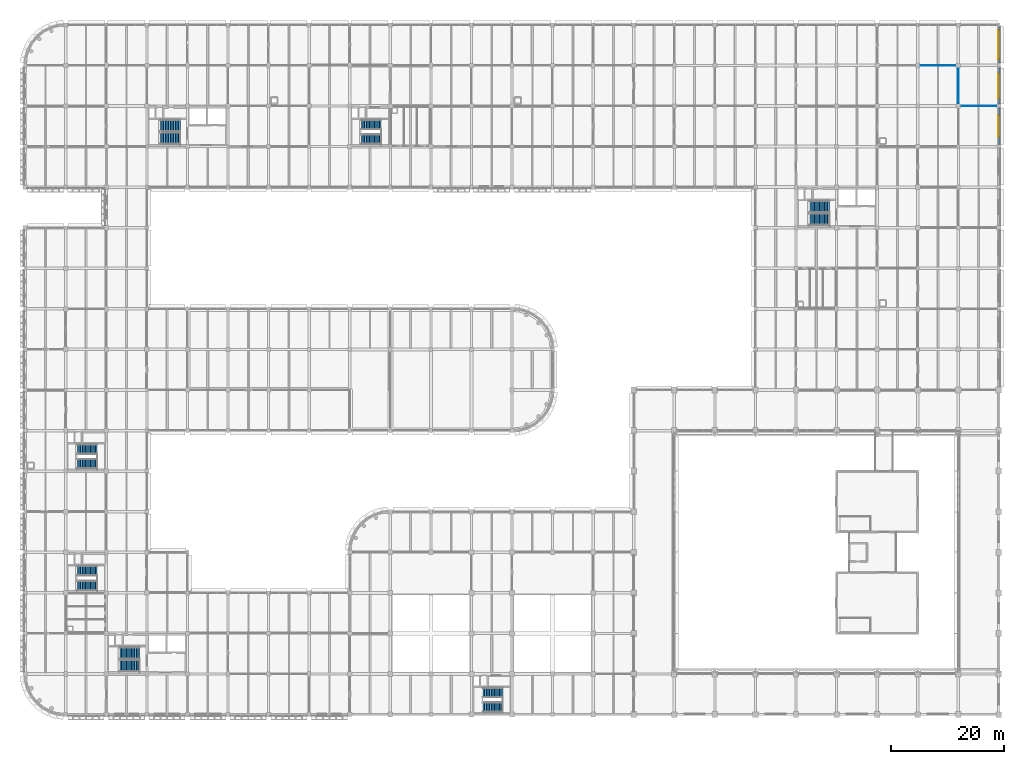
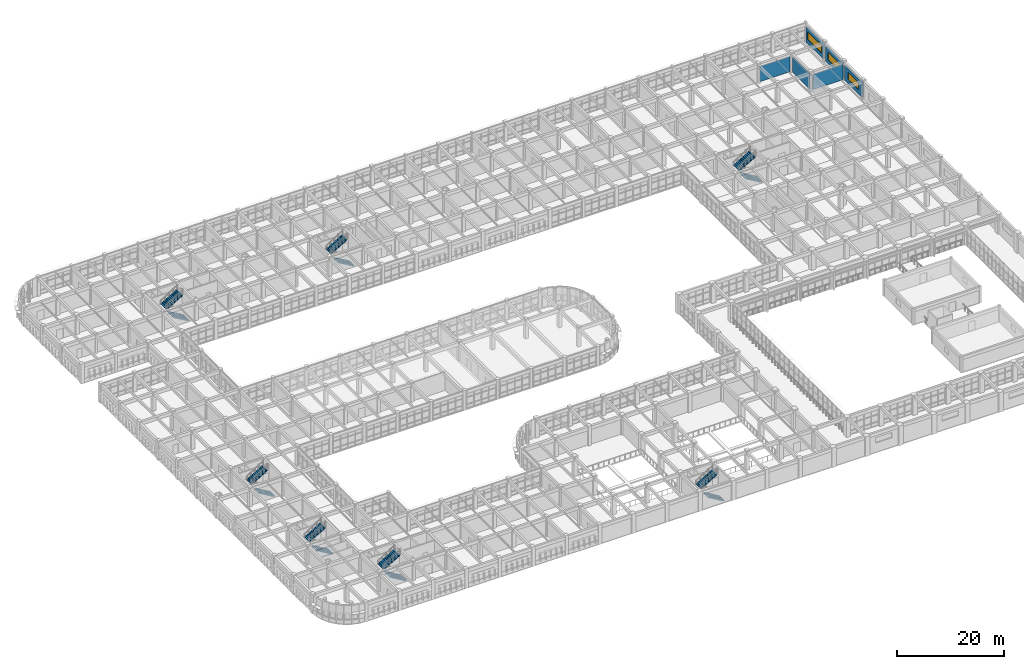
# One storey, part 162 of 171: 14 stair flights, 6 walls, 3 windows, 3 openings, 7 elements without a shape of their own.
"""IFC4 building model written with IfcOpenShell, lengths in metres."""

from ifc_helpers import new_model, si_unit, direction, frame, frame_2d, origin, place, context, subcontext, project, spatial, polyline, rectangle, outline, extrude, material, layer, layer_set, type_object, element, fill, aggregate, save


model = new_model("IFC4")

# Units and contexts
model_context = context("Model", 3, precision=1e-05, world=origin(), true_north=direction((0.0, 1.0)))
body_context = subcontext(model_context, "Body", "Model", "MODEL_VIEW")
ifc_project = project(units=[si_unit("LENGTHUNIT", "METRE"), si_unit("AREAUNIT", "SQUARE_METRE"), si_unit("VOLUMEUNIT", "CUBIC_METRE"), si_unit("PLANEANGLEUNIT", "RADIAN"), si_unit("MASSUNIT", "GRAM", prefix="KILO")], contexts=[model_context])

# Site, building, storey
site_placement = place(None, origin())
site = spatial("IfcSite", under=ifc_project, at=site_placement, CompositionType="ELEMENT")
building_placement = place(site_placement, origin())
building = spatial("IfcBuilding", under=site, at=building_placement, Name="Thalmaran Polytechnic", CompositionType="ELEMENT")
storey_placement = place(building_placement, frame((0.0, 0.0, 5.39990234375)))
storey = spatial("IfcBuildingStorey", under=building, at=storey_placement, Name="L01", CompositionType="ELEMENT", Elevation=5.39990234375)

# Wall, opening, window
ifc_material_1 = material(Name="Precast concrete C40/50", Category="concrete")
ifc_layer_1 = layer(ifc_material_1, 0.330078125, Name="Precast concrete C40/50")
ifc_layer_set_1 = layer_set([ifc_layer_1], Name="Precast concrete C40/50")
wall_type_1 = type_object("IfcWallType", Name="WL-EW02", PredefinedType="STANDARD", material=ifc_layer_set_1)
wall_1_placement = place(storey_placement, frame((172.800048828125, 122.10009765625, 0.0), z_axis=(0.0, 0.0, 1.0), x_axis=(0.0, -1.0, 0.0)))
wall_1 = element("IfcWall", 1, at=wall_1_placement, inside=storey, type_object=wall_type_1, Name="Exterior Precast Facade Wall L01-052", PredefinedType="STANDARD", context=body_context, shape_type="SweptSolid", body=[
    extrude(rectangle(XDim=6.47509765625, YDim=0.330078125, at=frame_2d((3.237548828125, 0.0))), origin(), (0.0, 0.0, 1.0), 3.455078125),
])
opening_1_placement = place(wall_1_placement, frame((0.6875, 0.0, 0.97998046875)))
opening_1 = element("IfcOpeningElement", 2, at=opening_1_placement, cuts=wall_1, Name="Opening VW15", PredefinedType="OPENING", context=body_context, shape_type="SweptSolid", body=[
    extrude(rectangle(XDim=5.10009765625, YDim=1.75, at=frame_2d((2.550048828125, 0.875))), frame((0.0, 0.175048828125, 0.0), z_axis=(0.0, -1.0, 0.0), x_axis=(1.0, 0.0, 0.0)), (0.0, 0.0, 1.0), 0.35009765625),
])
ifc_material_2 = material(Name="Thermally broken aluminium and double low-E glass", Category="aluminium")
window_type_1 = type_object("IfcWindowType", Name="WN-VZ15", PartitioningType="TRIPLE_PANEL_HORIZONTAL", PredefinedType="WINDOW", material=ifc_material_2)
window_1_placement = place(opening_1_placement, origin())
window_1 = element("IfcWindow", 3, at=window_1_placement, inside=storey, type_object=window_type_1, Name="Streamline Ribbon Window W-0124", OverallHeight=1.75, OverallWidth=5.10009765625, PartitioningType="SINGLE_PANEL", PredefinedType="WINDOW", context=body_context, shape_type="SweptSolid", body=[
    extrude(rectangle(XDim=5.10009765625, YDim=1.75, at=frame_2d((2.550048828125, 0.875))), frame((0.0, -0.030029296875, 0.0), z_axis=(0.0, -1.0, 0.0), x_axis=(1.0, 0.0, 0.0)), (0.0, 0.0, 1.0), 0.06005859375),
])
fill(opening_1, window_1)

wall_2_placement = place(storey_placement, frame((172.800048828125, 114.77490234375, 0.0), z_axis=(0.0, 0.0, 1.0), x_axis=(0.0, -1.0, 0.0)))
wall_2 = element("IfcWall", 4, at=wall_2_placement, inside=storey, type_object=wall_type_1, Name="Exterior Precast Facade Wall L01-053", PredefinedType="STANDARD", context=body_context, shape_type="SweptSolid", body=[
    extrude(rectangle(XDim=6.4248046875, YDim=0.330078125, at=frame_2d((3.21240234375, 0.0))), origin(), (0.0, 0.0, 1.0), 3.455078125),
])
opening_2_placement = place(wall_2_placement, frame((1.012451171875, 0.0, 0.97998046875)))
opening_2 = element("IfcOpeningElement", 5, at=opening_2_placement, cuts=wall_2, Name="Opening VW16", PredefinedType="OPENING", context=body_context, shape_type="SweptSolid", body=[
    extrude(rectangle(XDim=4.39990234375, YDim=1.64990234375, at=frame_2d((2.199951171875, 0.824951171875))), frame((0.0, 0.175048828125, 0.0), z_axis=(0.0, -1.0, 0.0), x_axis=(1.0, 0.0, 0.0)), (0.0, 0.0, 1.0), 0.35009765625),
])
window_type_2 = type_object("IfcWindowType", Name="WN-VZ16", PartitioningType="TRIPLE_PANEL_HORIZONTAL", PredefinedType="WINDOW", material=ifc_material_2)
window_2_placement = place(opening_2_placement, origin())
window_2 = element("IfcWindow", 6, at=window_2_placement, inside=storey, type_object=window_type_2, Name="Streamline Ribbon Window W-0125", OverallHeight=1.64990234375, OverallWidth=4.39990234375, PartitioningType="SINGLE_PANEL", PredefinedType="WINDOW", context=body_context, shape_type="SweptSolid", body=[
    extrude(rectangle(XDim=4.39990234375, YDim=1.64990234375, at=frame_2d((2.199951171875, 0.824951171875))), frame((0.0, -0.030029296875, 0.0), z_axis=(0.0, -1.0, 0.0), x_axis=(1.0, 0.0, 0.0)), (0.0, 0.0, 1.0), 0.06005859375),
])
fill(opening_2, window_2)

wall_3_placement = place(storey_placement, frame((172.800048828125, 107.64990234375, 0.0), z_axis=(0.0, 0.0, 1.0), x_axis=(0.0, -1.0, 0.0)))
wall_3 = element("IfcWall", 7, at=wall_3_placement, inside=storey, type_object=wall_type_1, Name="Exterior Precast Facade Wall L01-054", PredefinedType="STANDARD", context=body_context, shape_type="SweptSolid", body=[
    extrude(rectangle(XDim=6.489990234375, YDim=0.330078125, at=frame_2d((3.2451171875, 0.0))), origin(), (0.0, 0.0, 1.0), 3.455078125),
])
opening_3_placement = place(wall_3_placement, frame((1.344970703125, 0.0, 0.97998046875)))
opening_3 = element("IfcOpeningElement", 8, at=opening_3_placement, cuts=wall_3, Name="Opening VW17", PredefinedType="OPENING", context=body_context, shape_type="SweptSolid", body=[
    extrude(rectangle(XDim=3.800048828125, YDim=1.60009765625, at=frame_2d((1.89990234375, 0.800048828125))), frame((0.0, 0.175048828125, 0.0), z_axis=(0.0, -1.0, 0.0), x_axis=(1.0, 0.0, 0.0)), (0.0, 0.0, 1.0), 0.35009765625),
])
window_type_3 = type_object("IfcWindowType", Name="WN-VZ17", PartitioningType="DOUBLE_PANEL_VERTICAL", PredefinedType="WINDOW", material=ifc_material_2)
window_3_placement = place(opening_3_placement, origin())
window_3 = element("IfcWindow", 9, at=window_3_placement, inside=storey, type_object=window_type_3, Name="Streamline Ribbon Window W-0126", OverallHeight=1.60009765625, OverallWidth=3.800048828125, PartitioningType="SINGLE_PANEL", PredefinedType="WINDOW", context=body_context, shape_type="SweptSolid", body=[
    extrude(rectangle(XDim=3.800048828125, YDim=1.60009765625, at=frame_2d((1.89990234375, 0.800048828125))), frame((0.0, -0.030029296875, 0.0), z_axis=(0.0, -1.0, 0.0), x_axis=(1.0, 0.0, 0.0)), (0.0, 0.0, 1.0), 0.06005859375),
])
fill(opening_3, window_3)

# Walls
ifc_material_3 = material(Name="Gypsum acoustic partition")
ifc_layer_2 = layer(ifc_material_3, 0.1298828125, Name="Gypsum acoustic partition")
ifc_layer_set_2 = layer_set([ifc_layer_2], Name="Gypsum acoustic partition")
wall_type_2 = type_object("IfcWallType", Name="WL-IW07", PredefinedType="PARTITIONING", material=ifc_layer_set_2)
wall_4_placement = place(storey_placement, frame((165.60009765625, 108.39501953125, 0.0), z_axis=(0.0, 0.0, 1.0), x_axis=(0.0, 1.0, 0.0)))
element("IfcWall", 10, at=wall_4_placement, inside=storey, type_object=wall_type_2, Name="Interior Partition IW07 L01-162", PredefinedType="PARTITIONING", context=body_context, shape_type="SweptSolid", body=[
    extrude(rectangle(XDim=6.425048828125, YDim=0.1298828125, at=frame_2d((3.21240234375, 0.0))), origin(), (0.0, 0.0, 1.0), 3.525146484375),
])
ifc_layer_3 = layer(ifc_material_3, 0.114990234375, Name="Gypsum acoustic partition")
ifc_layer_set_3 = layer_set([ifc_layer_3], Name="Gypsum acoustic partition")
wall_type_3 = type_object("IfcWallType", Name="WL-IW08", PredefinedType="PARTITIONING", material=ifc_layer_set_3)
wall_5_placement = place(storey_placement, frame((158.679931640625, 115.199951171875, 0.0), z_axis=(0.0, 0.0, 1.0), x_axis=(1.0, 0.0, 0.0)))
element("IfcWall", 11, at=wall_5_placement, inside=storey, type_object=wall_type_3, Name="Interior Partition IW08 L01-163", PredefinedType="PARTITIONING", context=body_context, shape_type="SweptSolid", body=[
    extrude(rectangle(XDim=6.5400390625, YDim=0.114990234375, at=frame_2d((3.27001953125, 0.0))), origin(), (0.0, 0.0, 1.0), 3.485107421875),
])
wall_6_placement = place(storey_placement, frame((165.9951171875, 108.0, 0.0), z_axis=(0.0, 0.0, 1.0), x_axis=(1.0, 0.0, 0.0)))
element("IfcWall", 12, at=wall_6_placement, inside=storey, type_object=wall_type_3, Name="Interior Partition IW08 L01-167", PredefinedType="PARTITIONING", context=body_context, shape_type="SweptSolid", body=[
    extrude(rectangle(XDim=6.449951171875, YDim=0.114990234375, at=frame_2d((3.22509765625, 0.0))), origin(), (0.0, 0.0, 1.0), 3.489990234375),
])

# Stair, stair flights
ifc_material_4 = material(Name="Concrete C40/50", Category="concrete")
stair_type = type_object("IfcStairType", Name="ST-HT45", PredefinedType="HALF_TURN_STAIR", material=ifc_material_4)
stair_1_placement = place(storey_placement, origin())
stair_1 = element("IfcStair", 13, at=stair_1_placement, inside=storey, type_object=stair_type, Name="Exit Stair ST1 L01", PredefinedType="HALF_TURN_STAIR")
stair_flight_type = type_object("IfcStairFlightType", Name="SF-FL14", PredefinedType="STRAIGHT", material=ifc_material_4)
stair_flight_1_placement = place(storey_placement, frame((20.320068359375, 8.56005859375, 0.0), z_axis=(0.0, 0.0, 1.0), x_axis=(-1.0, 0.0, 0.0)))
stair_flight_1 = element("IfcStairFlight", 14, at=stair_flight_1_placement, type_object=stair_flight_type, Name="Stair Flight ST1 L01 Lower", NumberOfRisers=13, NumberOfTreads=12, PredefinedType="STRAIGHT", RiserHeight=0.173077, TreadLength=0.293333, context=body_context, shape_type="SweptSolid", body=[
    extrude(outline(polyline([(0.0, 0.0), (0.0, 0.173095703125), (0.293212890625, 0.173095703125), (0.293212890625, 0.34619140625), (0.586669921875, 0.34619140625), (0.586669921875, 0.519287109375), (0.8798828125, 0.519287109375), (0.8798828125, 0.6923828125), (1.17333984375, 0.6923828125), (1.17333984375, 0.865478515625), (1.466552734375, 0.865478515625), (1.466552734375, 1.03857421875), (1.760009765625, 1.03857421875), (1.760009765625, 1.21142578125), (2.05322265625, 1.21142578125), (2.05322265625, 1.384521484375), (2.3466796875, 1.384521484375), (2.3466796875, 1.5576171875), (2.639892578125, 1.5576171875), (2.639892578125, 1.730712890625), (2.933349609375, 1.730712890625), (2.933349609375, 1.90380859375), (3.2265625, 1.90380859375), (3.2265625, 2.076904296875), (3.52001953125, 2.076904296875), (3.52001953125, 2.25), (3.52001953125, 1.867919921875), (0.35400390625, 0.0), (0.0, 0.0)])), frame((0.0, 1.080078125, 0.0), z_axis=(0.0, -1.0, 0.0), x_axis=(1.0, 0.0, 0.0)), (0.0, 0.0, 1.0), 2.159912109375),
])
stair_flight_2_placement = place(storey_placement, frame((16.800048828125, 11.02001953125, 2.25), z_axis=(0.0, 0.0, 1.0), x_axis=(1.0, 0.0, 0.0)))
stair_flight_2 = element("IfcStairFlight", 15, at=stair_flight_2_placement, type_object=stair_flight_type, Name="Stair Flight ST1 L01 Upper", NumberOfRisers=13, NumberOfTreads=12, PredefinedType="STRAIGHT", RiserHeight=0.173077, TreadLength=0.293333, context=body_context, shape_type="SweptSolid", body=[
    extrude(outline(polyline([(0.0, 0.0), (0.0, 0.173095703125), (0.293212890625, 0.173095703125), (0.293212890625, 0.34619140625), (0.586669921875, 0.34619140625), (0.586669921875, 0.519287109375), (0.8798828125, 0.519287109375), (0.8798828125, 0.6923828125), (1.17333984375, 0.6923828125), (1.17333984375, 0.865478515625), (1.466552734375, 0.865478515625), (1.466552734375, 1.03857421875), (1.760009765625, 1.03857421875), (1.760009765625, 1.21142578125), (2.05322265625, 1.21142578125), (2.05322265625, 1.384521484375), (2.3466796875, 1.384521484375), (2.3466796875, 1.5576171875), (2.639892578125, 1.5576171875), (2.639892578125, 1.730712890625), (2.933349609375, 1.730712890625), (2.933349609375, 1.90380859375), (3.2265625, 1.90380859375), (3.2265625, 2.076904296875), (3.52001953125, 2.076904296875), (3.52001953125, 2.25), (3.52001953125, 1.867919921875), (0.35400390625, 0.0), (0.0, 0.0)])), frame((0.0, 1.080078125, 0.0), z_axis=(0.0, -1.0, 0.0), x_axis=(1.0, 0.0, 0.0)), (0.0, 0.0, 1.0), 2.159912109375),
])
aggregate(stair_1, [stair_flight_1, stair_flight_2])

stair_2_placement = place(storey_placement, origin())
stair_2 = element("IfcStair", 16, at=stair_2_placement, inside=storey, type_object=stair_type, Name="Exit Stair ST2 L01", PredefinedType="HALF_TURN_STAIR")
stair_flight_3_placement = place(storey_placement, frame((27.52001953125, 102.159912109375, 0.0), z_axis=(0.0, 0.0, 1.0), x_axis=(-1.0, 0.0, 0.0)))
stair_flight_3 = element("IfcStairFlight", 17, at=stair_flight_3_placement, type_object=stair_flight_type, Name="Stair Flight ST2 L01 Lower", NumberOfRisers=13, NumberOfTreads=12, PredefinedType="STRAIGHT", RiserHeight=0.173077, TreadLength=0.293333, context=body_context, shape_type="SweptSolid", body=[
    extrude(outline(polyline([(0.0, 0.0), (0.0, 0.173095703125), (0.293212890625, 0.173095703125), (0.293212890625, 0.34619140625), (0.586669921875, 0.34619140625), (0.586669921875, 0.519287109375), (0.8798828125, 0.519287109375), (0.8798828125, 0.6923828125), (1.17333984375, 0.6923828125), (1.17333984375, 0.865478515625), (1.466552734375, 0.865478515625), (1.466552734375, 1.03857421875), (1.760009765625, 1.03857421875), (1.760009765625, 1.21142578125), (2.05322265625, 1.21142578125), (2.05322265625, 1.384521484375), (2.3466796875, 1.384521484375), (2.3466796875, 1.5576171875), (2.639892578125, 1.5576171875), (2.639892578125, 1.730712890625), (2.933349609375, 1.730712890625), (2.933349609375, 1.90380859375), (3.2265625, 1.90380859375), (3.2265625, 2.076904296875), (3.52001953125, 2.076904296875), (3.52001953125, 2.25), (3.52001953125, 1.867919921875), (0.35400390625, 0.0), (0.0, 0.0)])), frame((0.0, 1.080078125, 0.0), z_axis=(0.0, -1.0, 0.0), x_axis=(1.0, 0.0, 0.0)), (0.0, 0.0, 1.0), 2.159912109375),
])
stair_flight_4_placement = place(storey_placement, frame((24.0, 104.6201171875, 2.25), z_axis=(0.0, 0.0, 1.0), x_axis=(1.0, 0.0, 0.0)))
stair_flight_4 = element("IfcStairFlight", 18, at=stair_flight_4_placement, type_object=stair_flight_type, Name="Stair Flight ST2 L01 Upper", NumberOfRisers=13, NumberOfTreads=12, PredefinedType="STRAIGHT", RiserHeight=0.173077, TreadLength=0.293333, context=body_context, shape_type="SweptSolid", body=[
    extrude(outline(polyline([(0.0, 0.0), (0.0, 0.173095703125), (0.293212890625, 0.173095703125), (0.293212890625, 0.34619140625), (0.586669921875, 0.34619140625), (0.586669921875, 0.519287109375), (0.8798828125, 0.519287109375), (0.8798828125, 0.6923828125), (1.17333984375, 0.6923828125), (1.17333984375, 0.865478515625), (1.466552734375, 0.865478515625), (1.466552734375, 1.03857421875), (1.760009765625, 1.03857421875), (1.760009765625, 1.21142578125), (2.05322265625, 1.21142578125), (2.05322265625, 1.384521484375), (2.3466796875, 1.384521484375), (2.3466796875, 1.5576171875), (2.639892578125, 1.5576171875), (2.639892578125, 1.730712890625), (2.933349609375, 1.730712890625), (2.933349609375, 1.90380859375), (3.2265625, 1.90380859375), (3.2265625, 2.076904296875), (3.52001953125, 2.076904296875), (3.52001953125, 2.25), (3.52001953125, 1.867919921875), (0.35400390625, 0.0), (0.0, 0.0)])), frame((0.0, 1.080078125, 0.0), z_axis=(0.0, -1.0, 0.0), x_axis=(1.0, 0.0, 0.0)), (0.0, 0.0, 1.0), 2.159912109375),
])
aggregate(stair_2, [stair_flight_3, stair_flight_4])

stair_3_placement = place(storey_placement, origin())
stair_3 = element("IfcStair", 19, at=stair_3_placement, inside=storey, type_object=stair_type, Name="Exit Stair ST3 L01", PredefinedType="HALF_TURN_STAIR")
stair_flight_5_placement = place(storey_placement, frame((12.760009765625, 22.7900390625, 0.0), z_axis=(0.0, 0.0, 1.0), x_axis=(-1.0, 0.0, 0.0)))
stair_flight_5 = element("IfcStairFlight", 20, at=stair_flight_5_placement, type_object=stair_flight_type, Name="Stair Flight ST3 L01 Lower", NumberOfRisers=13, NumberOfTreads=12, PredefinedType="STRAIGHT", RiserHeight=0.173077, TreadLength=0.291667, context=body_context, shape_type="SweptSolid", body=[
    extrude(outline(polyline([(0.0, 0.0), (0.0, 0.173095703125), (0.291748046875, 0.173095703125), (0.291748046875, 0.34619140625), (0.583251953125, 0.34619140625), (0.583251953125, 0.519287109375), (0.875, 0.519287109375), (0.875, 0.6923828125), (1.166748046875, 0.6923828125), (1.166748046875, 0.865478515625), (1.458251953125, 0.865478515625), (1.458251953125, 1.03857421875), (1.75, 1.03857421875), (1.75, 1.21142578125), (2.041748046875, 1.21142578125), (2.041748046875, 1.384521484375), (2.333251953125, 1.384521484375), (2.333251953125, 1.5576171875), (2.625, 1.5576171875), (2.625, 1.730712890625), (2.916748046875, 1.730712890625), (2.916748046875, 1.90380859375), (3.208251953125, 1.90380859375), (3.208251953125, 2.076904296875), (3.5, 2.076904296875), (3.5, 2.25), (3.5, 1.86767578125), (0.3525390625, 0.0), (0.0, 0.0)])), frame((0.0, 0.91015625, 0.0), z_axis=(0.0, -1.0, 0.0), x_axis=(1.0, 0.0, 0.0)), (0.0, 0.0, 1.0), 1.820068359375),
])
stair_flight_6_placement = place(storey_placement, frame((9.260009765625, 25.590087890625, 2.25), z_axis=(0.0, 0.0, 1.0), x_axis=(1.0, 0.0, 0.0)))
stair_flight_6 = element("IfcStairFlight", 21, at=stair_flight_6_placement, type_object=stair_flight_type, Name="Stair Flight ST3 L01 Upper", NumberOfRisers=13, NumberOfTreads=12, PredefinedType="STRAIGHT", RiserHeight=0.173077, TreadLength=0.291667, context=body_context, shape_type="SweptSolid", body=[
    extrude(outline(polyline([(0.0, 0.0), (0.0, 0.173095703125), (0.291748046875, 0.173095703125), (0.291748046875, 0.34619140625), (0.583251953125, 0.34619140625), (0.583251953125, 0.519287109375), (0.875, 0.519287109375), (0.875, 0.6923828125), (1.166748046875, 0.6923828125), (1.166748046875, 0.865478515625), (1.458251953125, 0.865478515625), (1.458251953125, 1.03857421875), (1.75, 1.03857421875), (1.75, 1.21142578125), (2.041748046875, 1.21142578125), (2.041748046875, 1.384521484375), (2.333251953125, 1.384521484375), (2.333251953125, 1.5576171875), (2.625, 1.5576171875), (2.625, 1.730712890625), (2.916748046875, 1.730712890625), (2.916748046875, 1.90380859375), (3.208251953125, 1.90380859375), (3.208251953125, 2.076904296875), (3.5, 2.076904296875), (3.5, 2.25), (3.5, 1.86767578125), (0.3525390625, 0.0), (0.0, 0.0)])), frame((0.0, 0.91015625, 0.0), z_axis=(0.0, -1.0, 0.0), x_axis=(1.0, 0.0, 0.0)), (0.0, 0.0, 1.0), 1.820068359375),
])
aggregate(stair_3, [stair_flight_5, stair_flight_6])

stair_4_placement = place(storey_placement, origin())
stair_4 = element("IfcStair", 22, at=stair_4_placement, inside=storey, type_object=stair_type, Name="Exit Stair ST4 L01", PredefinedType="HALF_TURN_STAIR")
stair_flight_7_placement = place(storey_placement, frame((12.760009765625, 44.389892578125, 0.0), z_axis=(0.0, 0.0, 1.0), x_axis=(-1.0, 0.0, 0.0)))
stair_flight_7 = element("IfcStairFlight", 23, at=stair_flight_7_placement, type_object=stair_flight_type, Name="Stair Flight ST4 L01 Lower", NumberOfRisers=13, NumberOfTreads=12, PredefinedType="STRAIGHT", RiserHeight=0.173077, TreadLength=0.291667, context=body_context, shape_type="SweptSolid", body=[
    extrude(outline(polyline([(0.0, 0.0), (0.0, 0.173095703125), (0.291748046875, 0.173095703125), (0.291748046875, 0.34619140625), (0.583251953125, 0.34619140625), (0.583251953125, 0.519287109375), (0.875, 0.519287109375), (0.875, 0.6923828125), (1.166748046875, 0.6923828125), (1.166748046875, 0.865478515625), (1.458251953125, 0.865478515625), (1.458251953125, 1.03857421875), (1.75, 1.03857421875), (1.75, 1.21142578125), (2.041748046875, 1.21142578125), (2.041748046875, 1.384521484375), (2.333251953125, 1.384521484375), (2.333251953125, 1.5576171875), (2.625, 1.5576171875), (2.625, 1.730712890625), (2.916748046875, 1.730712890625), (2.916748046875, 1.90380859375), (3.208251953125, 1.90380859375), (3.208251953125, 2.076904296875), (3.5, 2.076904296875), (3.5, 2.25), (3.5, 1.86767578125), (0.3525390625, 0.0), (0.0, 0.0)])), frame((0.0, 0.91015625, 0.0), z_axis=(0.0, -1.0, 0.0), x_axis=(1.0, 0.0, 0.0)), (0.0, 0.0, 1.0), 1.820068359375),
])
stair_flight_8_placement = place(storey_placement, frame((9.260009765625, 47.18994140625, 2.25), z_axis=(0.0, 0.0, 1.0), x_axis=(1.0, 0.0, 0.0)))
stair_flight_8 = element("IfcStairFlight", 24, at=stair_flight_8_placement, type_object=stair_flight_type, Name="Stair Flight ST4 L01 Upper", NumberOfRisers=13, NumberOfTreads=12, PredefinedType="STRAIGHT", RiserHeight=0.173077, TreadLength=0.291667, context=body_context, shape_type="SweptSolid", body=[
    extrude(outline(polyline([(0.0, 0.0), (0.0, 0.173095703125), (0.291748046875, 0.173095703125), (0.291748046875, 0.34619140625), (0.583251953125, 0.34619140625), (0.583251953125, 0.519287109375), (0.875, 0.519287109375), (0.875, 0.6923828125), (1.166748046875, 0.6923828125), (1.166748046875, 0.865478515625), (1.458251953125, 0.865478515625), (1.458251953125, 1.03857421875), (1.75, 1.03857421875), (1.75, 1.21142578125), (2.041748046875, 1.21142578125), (2.041748046875, 1.384521484375), (2.333251953125, 1.384521484375), (2.333251953125, 1.5576171875), (2.625, 1.5576171875), (2.625, 1.730712890625), (2.916748046875, 1.730712890625), (2.916748046875, 1.90380859375), (3.208251953125, 1.90380859375), (3.208251953125, 2.076904296875), (3.5, 2.076904296875), (3.5, 2.25), (3.5, 1.86767578125), (0.3525390625, 0.0), (0.0, 0.0)])), frame((0.0, 0.91015625, 0.0), z_axis=(0.0, -1.0, 0.0), x_axis=(1.0, 0.0, 0.0)), (0.0, 0.0, 1.0), 1.820068359375),
])
aggregate(stair_4, [stair_flight_7, stair_flight_8])

stair_5_placement = place(storey_placement, origin())
stair_5 = element("IfcStair", 25, at=stair_5_placement, inside=storey, type_object=stair_type, Name="Exit Stair ST5 L01", PredefinedType="HALF_TURN_STAIR")
stair_flight_9_placement = place(storey_placement, frame((142.719970703125, 87.760009765625, 0.0), z_axis=(0.0, 0.0, 1.0), x_axis=(-1.0, 0.0, 0.0)))
stair_flight_9 = element("IfcStairFlight", 26, at=stair_flight_9_placement, type_object=stair_flight_type, Name="Stair Flight ST5 L01 Lower", NumberOfRisers=13, NumberOfTreads=12, PredefinedType="STRAIGHT", RiserHeight=0.173077, TreadLength=0.293333, context=body_context, shape_type="SweptSolid", body=[
    extrude(outline(polyline([(0.0, 0.0), (0.0, 0.173095703125), (0.293212890625, 0.173095703125), (0.293212890625, 0.34619140625), (0.586669921875, 0.34619140625), (0.586669921875, 0.519287109375), (0.8798828125, 0.519287109375), (0.8798828125, 0.6923828125), (1.17333984375, 0.6923828125), (1.17333984375, 0.865478515625), (1.466552734375, 0.865478515625), (1.466552734375, 1.03857421875), (1.760009765625, 1.03857421875), (1.760009765625, 1.21142578125), (2.05322265625, 1.21142578125), (2.05322265625, 1.384521484375), (2.3466796875, 1.384521484375), (2.3466796875, 1.5576171875), (2.639892578125, 1.5576171875), (2.639892578125, 1.730712890625), (2.933349609375, 1.730712890625), (2.933349609375, 1.90380859375), (3.2265625, 1.90380859375), (3.2265625, 2.076904296875), (3.52001953125, 2.076904296875), (3.52001953125, 2.25), (3.52001953125, 1.867919921875), (0.35400390625, 0.0), (0.0, 0.0)])), frame((0.0, 1.080078125, 0.0), z_axis=(0.0, -1.0, 0.0), x_axis=(1.0, 0.0, 0.0)), (0.0, 0.0, 1.0), 2.159912109375),
])
stair_flight_10_placement = place(storey_placement, frame((139.199951171875, 90.219970703125, 2.25), z_axis=(0.0, 0.0, 1.0), x_axis=(1.0, 0.0, 0.0)))
stair_flight_10 = element("IfcStairFlight", 27, at=stair_flight_10_placement, type_object=stair_flight_type, Name="Stair Flight ST5 L01 Upper", NumberOfRisers=13, NumberOfTreads=12, PredefinedType="STRAIGHT", RiserHeight=0.173077, TreadLength=0.293333, context=body_context, shape_type="SweptSolid", body=[
    extrude(outline(polyline([(0.0, 0.0), (0.0, 0.173095703125), (0.293212890625, 0.173095703125), (0.293212890625, 0.34619140625), (0.586669921875, 0.34619140625), (0.586669921875, 0.519287109375), (0.8798828125, 0.519287109375), (0.8798828125, 0.6923828125), (1.17333984375, 0.6923828125), (1.17333984375, 0.865478515625), (1.466552734375, 0.865478515625), (1.466552734375, 1.03857421875), (1.760009765625, 1.03857421875), (1.760009765625, 1.21142578125), (2.05322265625, 1.21142578125), (2.05322265625, 1.384521484375), (2.3466796875, 1.384521484375), (2.3466796875, 1.5576171875), (2.639892578125, 1.5576171875), (2.639892578125, 1.730712890625), (2.933349609375, 1.730712890625), (2.933349609375, 1.90380859375), (3.2265625, 1.90380859375), (3.2265625, 2.076904296875), (3.52001953125, 2.076904296875), (3.52001953125, 2.25), (3.52001953125, 1.867919921875), (0.35400390625, 0.0), (0.0, 0.0)])), frame((0.0, 1.080078125, 0.0), z_axis=(0.0, -1.0, 0.0), x_axis=(1.0, 0.0, 0.0)), (0.0, 0.0, 1.0), 2.159912109375),
])
aggregate(stair_5, [stair_flight_9, stair_flight_10])

stair_6_placement = place(storey_placement, origin())
stair_6 = element("IfcStair", 28, at=stair_6_placement, inside=storey, type_object=stair_type, Name="Exit Stair ST6 L01", PredefinedType="HALF_TURN_STAIR")
stair_flight_11_placement = place(storey_placement, frame((63.159912109375, 101.989990234375, 0.0), z_axis=(0.0, 0.0, 1.0), x_axis=(-1.0, 0.0, 0.0)))
stair_flight_11 = element("IfcStairFlight", 29, at=stair_flight_11_placement, type_object=stair_flight_type, Name="Stair Flight ST6 L01 Lower", NumberOfRisers=13, NumberOfTreads=12, PredefinedType="STRAIGHT", RiserHeight=0.173077, TreadLength=0.291667, context=body_context, shape_type="SweptSolid", body=[
    extrude(outline(polyline([(0.0, 0.0), (0.0, 0.173095703125), (0.291748046875, 0.173095703125), (0.291748046875, 0.34619140625), (0.583251953125, 0.34619140625), (0.583251953125, 0.519287109375), (0.875, 0.519287109375), (0.875, 0.6923828125), (1.166748046875, 0.6923828125), (1.166748046875, 0.865478515625), (1.458251953125, 0.865478515625), (1.458251953125, 1.03857421875), (1.75, 1.03857421875), (1.75, 1.21142578125), (2.041748046875, 1.21142578125), (2.041748046875, 1.384521484375), (2.333251953125, 1.384521484375), (2.333251953125, 1.5576171875), (2.625, 1.5576171875), (2.625, 1.730712890625), (2.916748046875, 1.730712890625), (2.916748046875, 1.90380859375), (3.208251953125, 1.90380859375), (3.208251953125, 2.076904296875), (3.5, 2.076904296875), (3.5, 2.25), (3.5, 1.86767578125), (0.3525390625, 0.0), (0.0, 0.0)])), frame((0.0, 0.91015625, 0.0), z_axis=(0.0, -1.0, 0.0), x_axis=(1.0, 0.0, 0.0)), (0.0, 0.0, 1.0), 1.820068359375),
])
stair_flight_12_placement = place(storey_placement, frame((59.659912109375, 104.7900390625, 2.25), z_axis=(0.0, 0.0, 1.0), x_axis=(1.0, 0.0, 0.0)))
stair_flight_12 = element("IfcStairFlight", 30, at=stair_flight_12_placement, type_object=stair_flight_type, Name="Stair Flight ST6 L01 Upper", NumberOfRisers=13, NumberOfTreads=12, PredefinedType="STRAIGHT", RiserHeight=0.173077, TreadLength=0.291667, context=body_context, shape_type="SweptSolid", body=[
    extrude(outline(polyline([(0.0, 0.0), (0.0, 0.173095703125), (0.291748046875, 0.173095703125), (0.291748046875, 0.34619140625), (0.583251953125, 0.34619140625), (0.583251953125, 0.519287109375), (0.875, 0.519287109375), (0.875, 0.6923828125), (1.166748046875, 0.6923828125), (1.166748046875, 0.865478515625), (1.458251953125, 0.865478515625), (1.458251953125, 1.03857421875), (1.75, 1.03857421875), (1.75, 1.21142578125), (2.041748046875, 1.21142578125), (2.041748046875, 1.384521484375), (2.333251953125, 1.384521484375), (2.333251953125, 1.5576171875), (2.625, 1.5576171875), (2.625, 1.730712890625), (2.916748046875, 1.730712890625), (2.916748046875, 1.90380859375), (3.208251953125, 1.90380859375), (3.208251953125, 2.076904296875), (3.5, 2.076904296875), (3.5, 2.25), (3.5, 1.86767578125), (0.3525390625, 0.0), (0.0, 0.0)])), frame((0.0, 0.91015625, 0.0), z_axis=(0.0, -1.0, 0.0), x_axis=(1.0, 0.0, 0.0)), (0.0, 0.0, 1.0), 1.820068359375),
])
aggregate(stair_6, [stair_flight_11, stair_flight_12])

stair_7_placement = place(storey_placement, origin())
stair_7 = element("IfcStair", 31, at=stair_7_placement, inside=storey, type_object=stair_type, Name="Exit Stair ST7 L01", PredefinedType="HALF_TURN_STAIR")
stair_flight_13_placement = place(storey_placement, frame((84.760009765625, 1.18994140625, 0.0), z_axis=(0.0, 0.0, 1.0), x_axis=(-1.0, 0.0, 0.0)))
stair_flight_13 = element("IfcStairFlight", 32, at=stair_flight_13_placement, type_object=stair_flight_type, Name="Stair Flight ST7 L01 Lower", NumberOfRisers=13, NumberOfTreads=12, PredefinedType="STRAIGHT", RiserHeight=0.173077, TreadLength=0.291667, context=body_context, shape_type="SweptSolid", body=[
    extrude(outline(polyline([(0.0, 0.0), (0.0, 0.173095703125), (0.291748046875, 0.173095703125), (0.291748046875, 0.34619140625), (0.583251953125, 0.34619140625), (0.583251953125, 0.519287109375), (0.875, 0.519287109375), (0.875, 0.6923828125), (1.166748046875, 0.6923828125), (1.166748046875, 0.865478515625), (1.458251953125, 0.865478515625), (1.458251953125, 1.03857421875), (1.75, 1.03857421875), (1.75, 1.21142578125), (2.041748046875, 1.21142578125), (2.041748046875, 1.384521484375), (2.333251953125, 1.384521484375), (2.333251953125, 1.5576171875), (2.625, 1.5576171875), (2.625, 1.730712890625), (2.916748046875, 1.730712890625), (2.916748046875, 1.90380859375), (3.208251953125, 1.90380859375), (3.208251953125, 2.076904296875), (3.5, 2.076904296875), (3.5, 2.25), (3.5, 1.86767578125), (0.3525390625, 0.0), (0.0, 0.0)])), frame((0.0, 0.91015625, 0.0), z_axis=(0.0, -1.0, 0.0), x_axis=(1.0, 0.0, 0.0)), (0.0, 0.0, 1.0), 1.820068359375),
])
stair_flight_14_placement = place(storey_placement, frame((81.260009765625, 3.989990234375, 2.25), z_axis=(0.0, 0.0, 1.0), x_axis=(1.0, 0.0, 0.0)))
stair_flight_14 = element("IfcStairFlight", 33, at=stair_flight_14_placement, type_object=stair_flight_type, Name="Stair Flight ST7 L01 Upper", NumberOfRisers=13, NumberOfTreads=12, PredefinedType="STRAIGHT", RiserHeight=0.173077, TreadLength=0.291667, context=body_context, shape_type="SweptSolid", body=[
    extrude(outline(polyline([(0.0, 0.0), (0.0, 0.173095703125), (0.291748046875, 0.173095703125), (0.291748046875, 0.34619140625), (0.583251953125, 0.34619140625), (0.583251953125, 0.519287109375), (0.875, 0.519287109375), (0.875, 0.6923828125), (1.166748046875, 0.6923828125), (1.166748046875, 0.865478515625), (1.458251953125, 0.865478515625), (1.458251953125, 1.03857421875), (1.75, 1.03857421875), (1.75, 1.21142578125), (2.041748046875, 1.21142578125), (2.041748046875, 1.384521484375), (2.333251953125, 1.384521484375), (2.333251953125, 1.5576171875), (2.625, 1.5576171875), (2.625, 1.730712890625), (2.916748046875, 1.730712890625), (2.916748046875, 1.90380859375), (3.208251953125, 1.90380859375), (3.208251953125, 2.076904296875), (3.5, 2.076904296875), (3.5, 2.25), (3.5, 1.86767578125), (0.3525390625, 0.0), (0.0, 0.0)])), frame((0.0, 0.91015625, 0.0), z_axis=(0.0, -1.0, 0.0), x_axis=(1.0, 0.0, 0.0)), (0.0, 0.0, 1.0), 1.820068359375),
])
aggregate(stair_7, [stair_flight_13, stair_flight_14])

save(model, "model.ifc")
